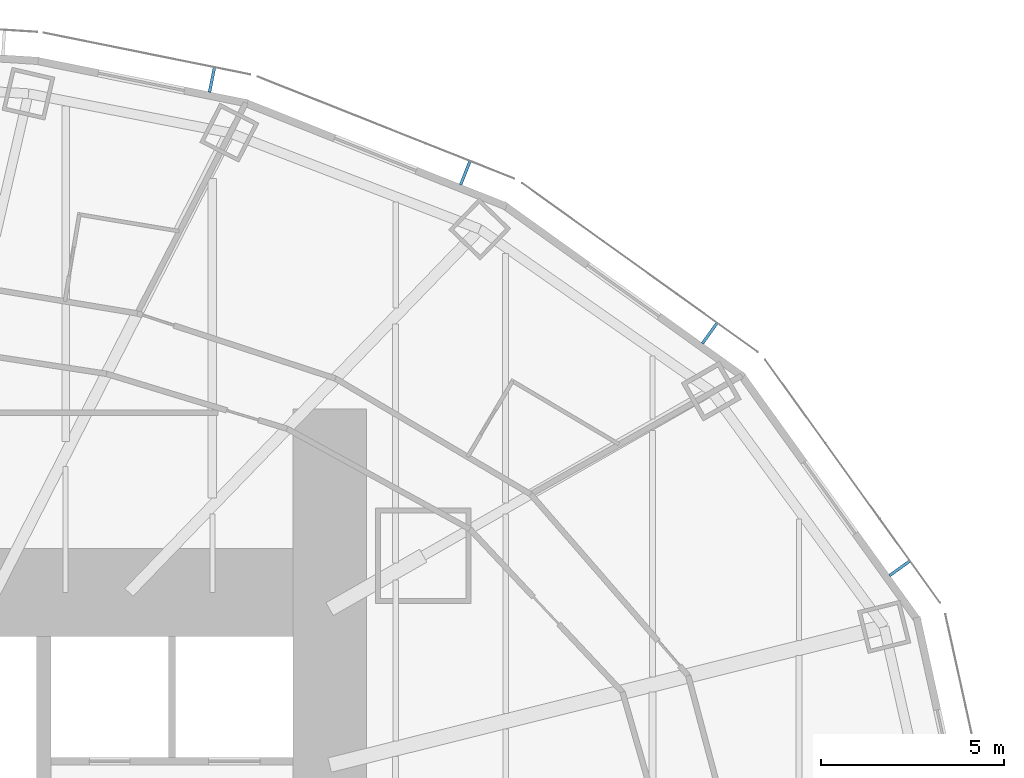
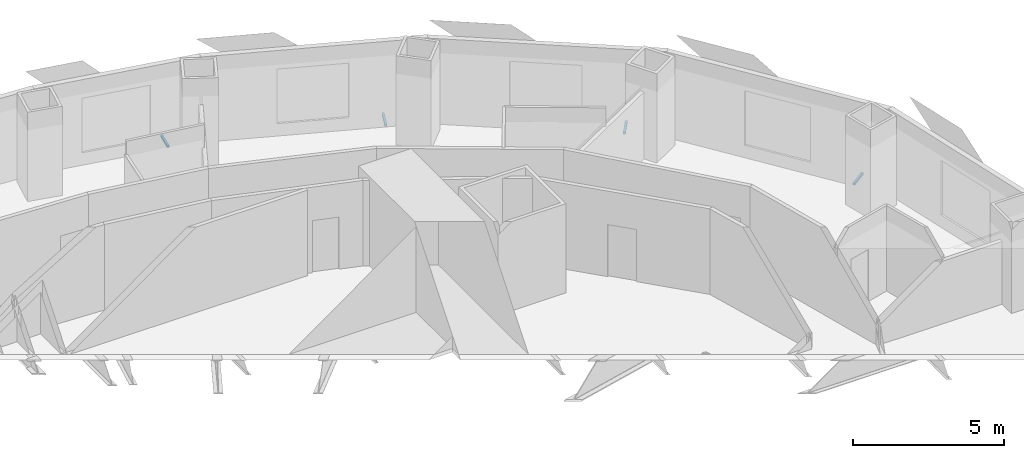
# One storey, part 12 of 15: 4 discrete accessories.
"""IFC4 building model written with IfcOpenShell, lengths in metres."""

from ifc_helpers import new_model, si_unit, direction, frame, origin, origin_2d, place, context, subcontext, project, spatial, rectangle, extrude, element, save


model = new_model("IFC4")

# Units and contexts
model_context = context("Model", 3, precision=1e-05, world=origin(), true_north=direction((0.0, 1.0)))
body_context = subcontext(model_context, "Body", "Model", "MODEL_VIEW")
ifc_project = project(units=[si_unit("LENGTHUNIT", "METRE"), si_unit("AREAUNIT", "SQUARE_METRE"), si_unit("VOLUMEUNIT", "CUBIC_METRE"), si_unit("PLANEANGLEUNIT", "RADIAN"), si_unit("MASSUNIT", "GRAM", prefix="KILO")], contexts=[model_context])

# Site, building, storey
site_placement = place(None, origin())
site = spatial("IfcSite", under=ifc_project, at=site_placement, CompositionType="ELEMENT")
building_placement = place(site_placement, origin())
building = spatial("IfcBuilding", under=site, at=building_placement, Name="Lantaw Convention Tower", CompositionType="ELEMENT")
storey_placement = place(building_placement, frame((0.0, 0.0, 58.60009765625)))
storey = spatial("IfcBuildingStorey", under=building, at=storey_placement, Name="L12", CompositionType="ELEMENT", Elevation=58.60009765625)

# Discrete accessories
for number, where, z_axis, x_axis, name in (
    (1, (28.745849609375, 8.65869140625, -0.115234375), (0.0, 0.0, 1.0), (-0.583951250436, 0.811788726895, 0.0), "Screen bracket"),
    (2, (23.564453125, 15.06640625, -0.115234375), (0.0, 0.0, 1.0), (-0.812803733199, 0.5825376308, 0.0), "Screen bracket"),
    (3, (16.898193359375, 19.4345703125, -0.115234375), (0.0, 0.0, 1.0), (-0.929361152748, 0.369171840425, 0.0), "Screen bracket"),
    (4, (9.990478515625, 21.974365234375, -0.115234375), (0.0, 0.0, 1.0), (-0.980244604501, 0.197789067813, 0.0), "Screen bracket"),
):
    element("IfcDiscreteAccessory", number, at=place(storey_placement, frame(where, z_axis=z_axis, x_axis=x_axis)), inside=storey, Name=name, PredefinedType="BRACKET", context=body_context, shape_type="SweptSolid", body=[
        extrude(rectangle(XDim=0.080078125, YDim=0.68798828125, at=origin_2d()), origin(), (0.0, 0.0, 1.0), 0.080078125),
    ])

save(model, "model.ifc")
